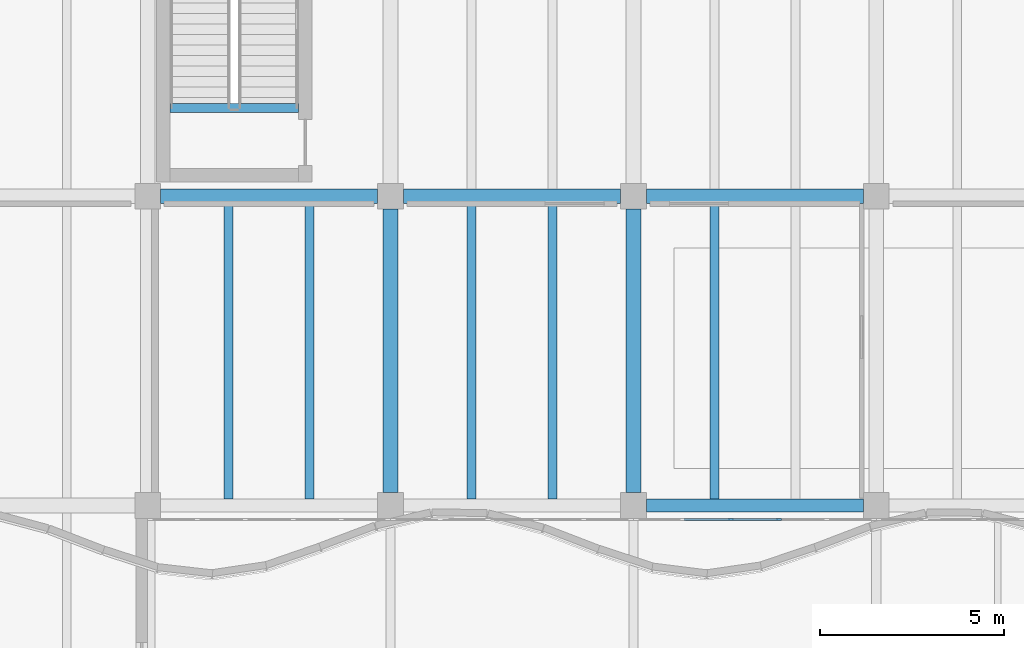
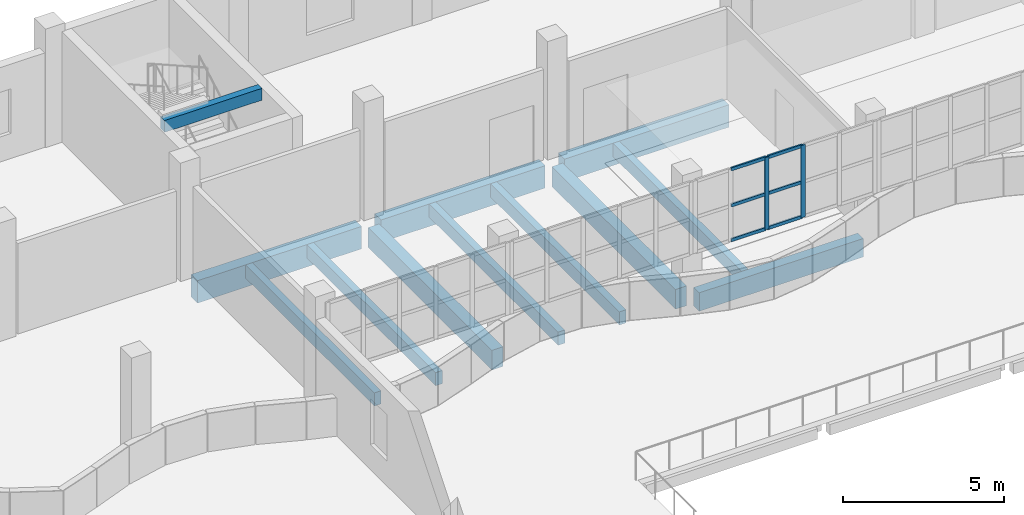
# One storey, part 11 of 83: 12 beams, 8 members, 1 element without a shape of its own.
"""IFC4 building model written with IfcOpenShell, lengths in metres."""

from ifc_helpers import new_model, si_unit, direction, frame, origin, origin_2d, place, context, subcontext, project, spatial, rectangle, extrude, material, material_profile, profile_set, type_object, element, aggregate, save


model = new_model("IFC4")

# Units and contexts
model_context = context("Model", 3, precision=1e-05, world=origin(), true_north=direction((0.0, 1.0)))
body_context = subcontext(model_context, "Body", "Model", "MODEL_VIEW")
ifc_project = project(units=[si_unit("LENGTHUNIT", "METRE"), si_unit("AREAUNIT", "SQUARE_METRE"), si_unit("VOLUMEUNIT", "CUBIC_METRE"), si_unit("PLANEANGLEUNIT", "RADIAN"), si_unit("MASSUNIT", "GRAM", prefix="KILO")], contexts=[model_context])

# Site, building, storey
site_placement = place(None, origin())
site = spatial("IfcSite", under=ifc_project, at=site_placement, CompositionType="ELEMENT")
building_placement = place(site_placement, origin())
building = spatial("IfcBuilding", under=site, at=building_placement, Name="Qaldarim Faculty of Natural and Applied Sciences", CompositionType="ELEMENT")
storey_placement = place(building_placement, frame((0.0, 0.0, 5.39990234375)))
storey = spatial("IfcBuildingStorey", under=building, at=storey_placement, Name="L01", CompositionType="ELEMENT", Elevation=5.39990234375)

# Beams
ifc_material_1 = material(Name="Concrete C40/50", Category="concrete")
ifc_material_profile_1 = material_profile(ifc_material_1, rectangle(XDim=0.239990234375, YDim=0.5, at=origin_2d()), Name="RC-J240x500")
ifc_profile_set_1 = profile_set([ifc_material_profile_1], Name="Concrete C40/50")
beam_type_1 = type_object("IfcBeamType", Name="HeavyJoist-RC240x500", PredefinedType="JOIST", material=ifc_profile_set_1)
for number, where, z_axis, x_axis, name in (
    (1, (48.39990234375, 100.97509765625, -0.5498046875), (0.0, 1.0, 0.0), (-1.0, 0.0, 0.0), "Laboratory joist L00 bay X08Y13-1"),
    (2, (50.60009765625, 100.97509765625, -0.5498046875), (0.0, 1.0, 0.0), (-1.0, 0.0, 0.0), "Laboratory joist L00 bay X08Y13-2"),
    (3, (55.0, 100.97509765625, -0.5498046875), (0.0, 1.0, 0.0), (-1.0, 0.0, 0.0), "Laboratory joist L00 bay X09Y13-1"),
    (4, (57.199951171875, 100.97509765625, -0.5498046875), (0.0, 1.0, 0.0), (-1.0, 0.0, 0.0), "Laboratory joist L00 bay X09Y13-2"),
    (5, (61.60009765625, 100.97509765625, -0.5498046875), (0.0, 1.0, 0.0), (-1.0, 0.0, 0.0), "Laboratory joist L00 bay X10Y13-1"),
):
    element("IfcBeam", number, at=place(storey_placement, frame(where, z_axis=z_axis, x_axis=x_axis)), inside=storey, type_object=beam_type_1, Name=name, PredefinedType="JOIST", context=body_context, shape_type="SweptSolid", body=[
        extrude(rectangle(XDim=0.239990234375, YDim=0.5, at=origin_2d()), origin(), (0.0, 0.0, 1.0), 8.02490234375),
    ])
ifc_material_2 = material(Name="Concrete C50/60", Category="concrete")
ifc_material_profile_2 = material_profile(ifc_material_2, rectangle(XDim=0.39990234375, YDim=0.75, at=origin_2d()), Name="RC-B400x750")
ifc_profile_set_2 = profile_set([ifc_material_profile_2], Name="Concrete C50/60")
beam_type_2 = type_object("IfcBeamType", Name="LabGirder-RC400x750", PredefinedType="BEAM", material=ifc_profile_set_2)
for number, where, z_axis, x_axis, name in (
    (6, (52.800048828125, 101.14990234375, -0.6748046875), (0.0, 1.0, 0.0), (-1.0, 0.0, 0.0), "Beam RC-B400x750 L00 X09/Y13-Y14"),
    (7, (59.39990234375, 101.14990234375, -0.6748046875), (0.0, 1.0, 0.0), (-1.0, 0.0, 0.0), "Beam RC-B400x750 L00 X10/Y13-Y14"),
):
    element("IfcBeam", number, at=place(storey_placement, frame(where, z_axis=z_axis, x_axis=x_axis)), inside=storey, type_object=beam_type_2, Name=name, PredefinedType="BEAM", context=body_context, shape_type="SweptSolid", body=[
        extrude(rectangle(XDim=0.39990234375, YDim=0.75, at=origin_2d()), origin(), (0.0, 0.0, 1.0), 7.7001953125),
    ])
ifc_material_profile_3 = material_profile(ifc_material_1, rectangle(XDim=0.25, YDim=0.449951171875, at=origin_2d()), Name="RC-LN250x450")
ifc_profile_set_3 = profile_set([ifc_material_profile_3], Name="Concrete C40/50")
beam_type_3 = type_object("IfcBeamType", Name="LandingSupportBeam-RC250x450", PredefinedType="BEAM", material=ifc_profile_set_3)
beam_1_placement = place(storey_placement, frame((46.800048828125, 111.60009765625, 3.97509765625), z_axis=(1.0, 0.0, 0.0), x_axis=(0.0, 1.0, 0.0)))
element("IfcBeam", 8, at=beam_1_placement, inside=storey, type_object=beam_type_3, Name="Stair arrival support beam ST-B2 L01", PredefinedType="BEAM", context=body_context, shape_type="SweptSolid", body=[
    extrude(rectangle(XDim=0.25, YDim=0.449951171875, at=origin_2d()), origin(), (0.0, 0.0, 1.0), 3.5),
])

# Curtain wall, members
ifc_material_3 = material(Name="Anodised aluminium AW-6063", Category="aluminium")
curtain_wall_type = type_object("IfcCurtainWallType", Name="CurtainWallSystem-M1400", PredefinedType="USERDEFINED", material=ifc_material_3)
curtain_wall_placement = place(storey_placement, origin())
curtain_wall = element("IfcCurtainWall", 9, at=curtain_wall_placement, inside=storey, type_object=curtain_wall_type, Name="Curtain wall CW-V4RIB-L01-X10", ObjectType="STICK CURTAIN WALL", PredefinedType="USERDEFINED")
ifc_material_profile_4 = material_profile(ifc_material_3, rectangle(XDim=0.06005859375, YDim=0.14990234375, at=origin_2d()), Name="ALU-M60x150")
ifc_profile_set_4 = profile_set([ifc_material_profile_4], Name="Anodised aluminium AW-6063")
member_type_1 = type_object("IfcMemberType", Name="Mullion-ALU60x150", PredefinedType="MULLION", material=ifc_profile_set_4)
member_1_placement = place(storey_placement, frame((62.048095703125, 100.419921875, 1.4501953125), z_axis=(0.0, 0.0, 1.0), x_axis=(0.0, 1.0, 0.0)))
member_1 = element("IfcMember", 10, at=member_1_placement, type_object=member_type_1, Name="Mullion 3 of CW-V4RIB-L01-X10", PredefinedType="MULLION", context=body_context, shape_type="SweptSolid", body=[
    extrude(rectangle(XDim=0.06005859375, YDim=0.14990234375, at=origin_2d()), origin(), (0.0, 0.0, 1.0), 2.75),
])
member_2_placement = place(storey_placement, frame((63.35205078125, 100.419921875, 1.4501953125), z_axis=(0.0, 0.0, 1.0), x_axis=(0.0, 1.0, 0.0)))
member_2 = element("IfcMember", 11, at=member_2_placement, type_object=member_type_1, Name="Mullion 4 of CW-V4RIB-L01-X10", PredefinedType="MULLION", context=body_context, shape_type="SweptSolid", body=[
    extrude(rectangle(XDim=0.06005859375, YDim=0.14990234375, at=origin_2d()), origin(), (0.0, 0.0, 1.0), 2.75),
])

# Beams
ifc_material_profile_5 = material_profile(ifc_material_2, rectangle(XDim=0.39990234375, YDim=0.85009765625, at=origin_2d()), Name="RC-B400x850")
ifc_profile_set_5 = profile_set([ifc_material_profile_5], Name="Concrete C50/60")
beam_type_4 = type_object("IfcBeamType", Name="PodiumGirder-RC400x850", PredefinedType="BEAM", material=ifc_profile_set_5)
beam_2_placement = place(storey_placement, frame((46.550048828125, 109.199951171875, -0.724853515625), z_axis=(1.0, 0.0, 0.0), x_axis=(0.0, 1.0, 0.0)))
element("IfcBeam", 12, at=beam_2_placement, inside=storey, type_object=beam_type_4, Name="Beam RC-B400x850 L00 X08-X09/Y14", PredefinedType="BEAM", context=body_context, shape_type="SweptSolid", body=[
    extrude(rectangle(XDim=0.39990234375, YDim=0.85009765625, at=origin_2d()), origin(), (0.0, 0.0, 1.0), 5.89990234375),
])
beam_3_placement = place(storey_placement, frame((53.14990234375, 109.199951171875, -0.724853515625), z_axis=(1.0, 0.0, 0.0), x_axis=(0.0, 1.0, 0.0)))
element("IfcBeam", 13, at=beam_3_placement, inside=storey, type_object=beam_type_4, Name="Beam RC-B400x850 L00 X09-X10/Y14", PredefinedType="BEAM", context=body_context, shape_type="SweptSolid", body=[
    extrude(rectangle(XDim=0.39990234375, YDim=0.85009765625, at=origin_2d()), origin(), (0.0, 0.0, 1.0), 5.900146484375),
])
beam_4_placement = place(storey_placement, frame((59.75, 109.199951171875, -0.724853515625), z_axis=(1.0, 0.0, 0.0), x_axis=(0.0, 1.0, 0.0)))
element("IfcBeam", 14, at=beam_4_placement, inside=storey, type_object=beam_type_4, Name="Beam RC-B400x850 L00 X10-X11/Y14", PredefinedType="BEAM", context=body_context, shape_type="SweptSolid", body=[
    extrude(rectangle(XDim=0.39990234375, YDim=0.85009765625, at=origin_2d()), origin(), (0.0, 0.0, 1.0), 5.89990234375),
])
ifc_material_profile_6 = material_profile(ifc_material_1, rectangle(XDim=0.35009765625, YDim=0.699951171875, at=origin_2d()), Name="RC-B350x700")
ifc_profile_set_6 = profile_set([ifc_material_profile_6], Name="Concrete C40/50")
beam_type_5 = type_object("IfcBeamType", Name="PrimaryGirder-RC350x700", PredefinedType="BEAM", material=ifc_profile_set_6)
beam_5_placement = place(storey_placement, frame((59.75, 100.800048828125, -0.64990234375), z_axis=(1.0, 0.0, 0.0), x_axis=(0.0, 1.0, 0.0)))
element("IfcBeam", 15, at=beam_5_placement, inside=storey, type_object=beam_type_5, Name="Beam RC-B350x700 L00 X10-X11/Y13", PredefinedType="BEAM", context=body_context, shape_type="SweptSolid", body=[
    extrude(rectangle(XDim=0.35009765625, YDim=0.699951171875, at=origin_2d()), origin(), (0.0, 0.0, 1.0), 5.89990234375),
])

# Member
ifc_material_profile_7 = material_profile(ifc_material_3, rectangle(XDim=0.06005859375, YDim=0.1201171875, at=origin_2d()), Name="ALU-T60x120")
ifc_profile_set_7 = profile_set([ifc_material_profile_7], Name="Anodised aluminium AW-6063")
member_type_2 = type_object("IfcMemberType", Name="Transom-ALU60x120", PredefinedType="USERDEFINED", material=ifc_profile_set_7)
member_3_placement = place(storey_placement, frame((60.77392578125, 100.419921875, 1.47998046875), z_axis=(1.0, 0.0, 0.0), x_axis=(0.0, 1.0, 0.0)))
member_3 = element("IfcMember", 16, at=member_3_placement, type_object=member_type_2, Name="Transom 2-1 of CW-V4RIB-L01-X10", ObjectType="TRANSOM", PredefinedType="USERDEFINED", context=body_context, shape_type="SweptSolid", body=[
    extrude(rectangle(XDim=0.06005859375, YDim=0.1201171875, at=origin_2d()), origin(), (0.0, 0.0, 1.0), 1.244140625),
])

member_4_placement = place(storey_placement, frame((60.77392578125, 100.419921875, 2.800048828125), z_axis=(1.0, 0.0, 0.0), x_axis=(0.0, 1.0, 0.0)))
member_4 = element("IfcMember", 17, at=member_4_placement, type_object=member_type_2, Name="Transom 2-2 of CW-V4RIB-L01-X10", ObjectType="TRANSOM", PredefinedType="USERDEFINED", context=body_context, shape_type="SweptSolid", body=[
    extrude(rectangle(XDim=0.06005859375, YDim=0.1201171875, at=origin_2d()), origin(), (0.0, 0.0, 1.0), 1.244140625),
])

member_5_placement = place(storey_placement, frame((60.77392578125, 100.419921875, 4.170166015625), z_axis=(1.0, 0.0, 0.0), x_axis=(0.0, 1.0, 0.0)))
member_5 = element("IfcMember", 18, at=member_5_placement, type_object=member_type_2, Name="Transom 2-3 of CW-V4RIB-L01-X10", ObjectType="TRANSOM", PredefinedType="USERDEFINED", context=body_context, shape_type="SweptSolid", body=[
    extrude(rectangle(XDim=0.06005859375, YDim=0.1201171875, at=origin_2d()), origin(), (0.0, 0.0, 1.0), 1.244140625),
])

member_6_placement = place(storey_placement, frame((62.077880859375, 100.419921875, 1.47998046875), z_axis=(1.0, 0.0, 0.0), x_axis=(0.0, 1.0, 0.0)))
member_6 = element("IfcMember", 19, at=member_6_placement, type_object=member_type_2, Name="Transom 3-1 of CW-V4RIB-L01-X10", ObjectType="TRANSOM", PredefinedType="USERDEFINED", context=body_context, shape_type="SweptSolid", body=[
    extrude(rectangle(XDim=0.06005859375, YDim=0.1201171875, at=origin_2d()), origin(), (0.0, 0.0, 1.0), 1.244140625),
])

member_7_placement = place(storey_placement, frame((62.077880859375, 100.419921875, 2.800048828125), z_axis=(1.0, 0.0, 0.0), x_axis=(0.0, 1.0, 0.0)))
member_7 = element("IfcMember", 20, at=member_7_placement, type_object=member_type_2, Name="Transom 3-2 of CW-V4RIB-L01-X10", ObjectType="TRANSOM", PredefinedType="USERDEFINED", context=body_context, shape_type="SweptSolid", body=[
    extrude(rectangle(XDim=0.06005859375, YDim=0.1201171875, at=origin_2d()), origin(), (0.0, 0.0, 1.0), 1.244140625),
])

member_8_placement = place(storey_placement, frame((62.077880859375, 100.419921875, 4.170166015625), z_axis=(1.0, 0.0, 0.0), x_axis=(0.0, 1.0, 0.0)))
member_8 = element("IfcMember", 21, at=member_8_placement, type_object=member_type_2, Name="Transom 3-3 of CW-V4RIB-L01-X10", ObjectType="TRANSOM", PredefinedType="USERDEFINED", context=body_context, shape_type="SweptSolid", body=[
    extrude(rectangle(XDim=0.06005859375, YDim=0.1201171875, at=origin_2d()), origin(), (0.0, 0.0, 1.0), 1.244140625),
])

aggregate(curtain_wall, [member_1, member_2, member_3, member_4, member_5, member_6, member_7, member_8])

save(model, "model.ifc")
